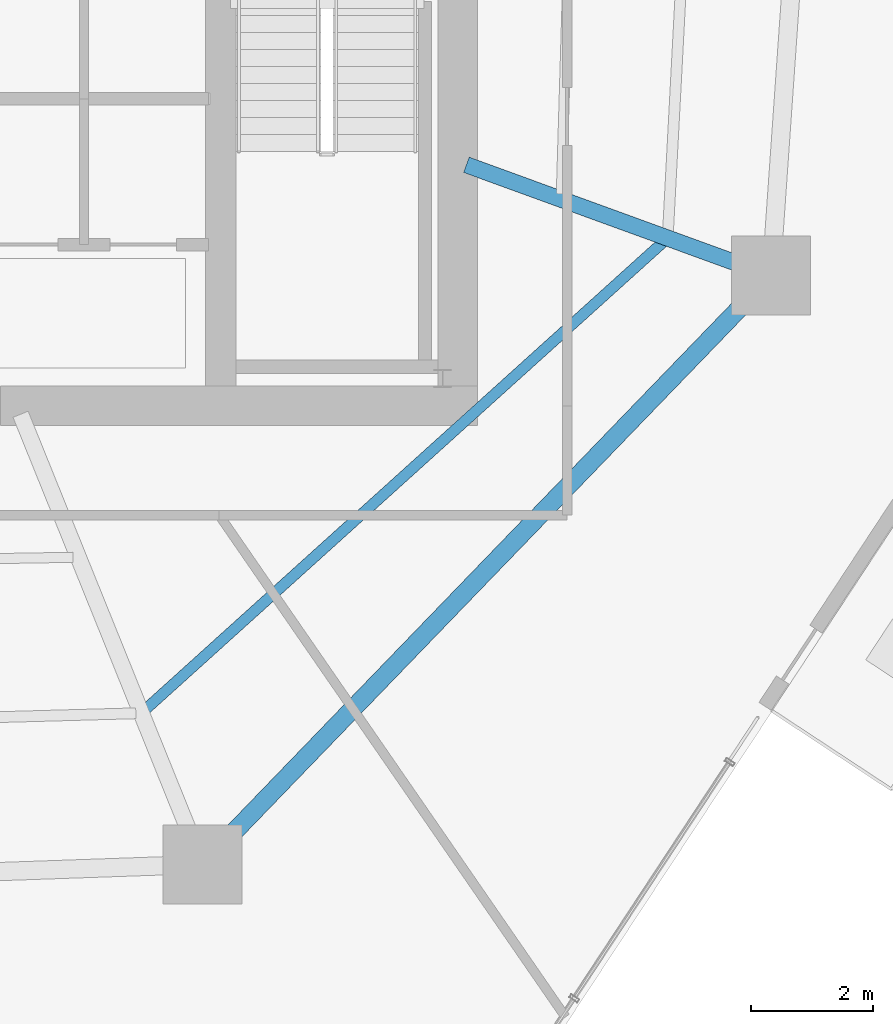
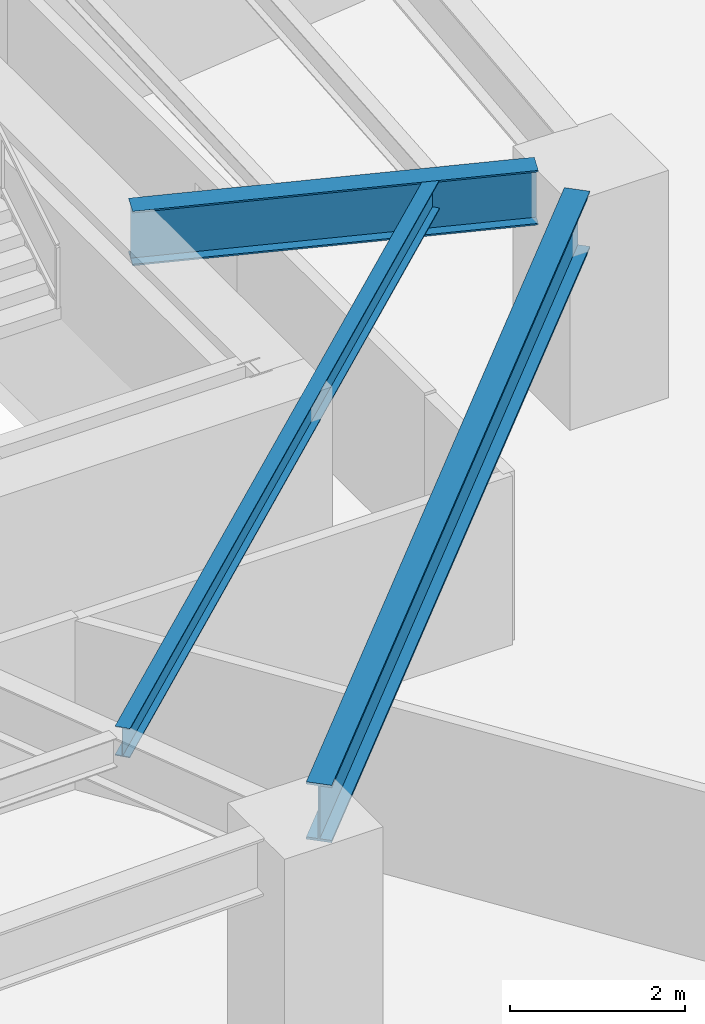
# One storey, part 10 of 28: 3 beams.
"""IFC4 building model written with IfcOpenShell, lengths in metres."""

from ifc_helpers import new_model, si_unit, direction, frame, origin, origin_2d, place, context, subcontext, project, spatial, i_section, extrude, material, material_profile, profile_set, type_object, element, save


model = new_model("IFC4")

# Units and contexts
model_context = context("Model", 3, precision=1e-05, world=origin(), true_north=direction((0.0, 1.0)))
body_context = subcontext(model_context, "Body", "Model", "MODEL_VIEW")
ifc_project = project(units=[si_unit("LENGTHUNIT", "METRE"), si_unit("AREAUNIT", "SQUARE_METRE"), si_unit("VOLUMEUNIT", "CUBIC_METRE"), si_unit("PLANEANGLEUNIT", "RADIAN"), si_unit("MASSUNIT", "GRAM", prefix="KILO")], contexts=[model_context])

# Site, building, storey
site_placement = place(None, origin())
site = spatial("IfcSite", under=ifc_project, at=site_placement, CompositionType="ELEMENT")
building_placement = place(site_placement, origin())
building = spatial("IfcBuilding", under=site, at=building_placement, Name="Qarnah Convention Tower", CompositionType="ELEMENT")
storey_placement = place(building_placement, frame((0.0, 0.0, 54.60009765625)))
storey = spatial("IfcBuildingStorey", under=building, at=storey_placement, Name="L13", CompositionType="ELEMENT", Elevation=54.60009765625)

# Beams
ifc_material = material(Name="Structural steel S355JR", Category="steel")
ifc_material_profile_1 = material_profile(ifc_material, i_section(OverallWidth=0.177978515625, OverallDepth=0.407958984375, WebThickness=0.008056640625, FlangeThickness=0.012939453125, at=origin_2d()), Name="W410X60")
ifc_profile_set_1 = profile_set([ifc_material_profile_1], Name="Structural steel S355JR")
beam_type_1 = type_object("IfcBeamType", Name="BM-JST-W410", PredefinedType="JOIST", material=ifc_profile_set_1)
beam_1_placement = place(storey_placement, frame((42.4609375, 13.60498046875, 2.9658203125), z_axis=(0.742326054704, 0.67003882612, 0.0), x_axis=(-0.67003882612, 0.742326054704, 0.0)))
element("IfcBeam", 1, at=beam_1_placement, inside=storey, type_object=beam_type_1, Name="L13 joist BM-L13-SJST-08", PredefinedType="JOIST", context=body_context, shape_type="SweptSolid", body=[
    extrude(i_section(OverallWidth=0.177978515625, OverallDepth=0.407958984375, WebThickness=0.008056640625, FlangeThickness=0.012939453125, at=origin_2d()), origin(), (0.0, 0.0, 1.0), 11.483154296875),
])
ifc_material_profile_2 = material_profile(ifc_material, i_section(OverallWidth=0.26806640625, OverallDepth=0.760009765625, WebThickness=0.014892578125, FlangeThickness=0.02197265625, at=origin_2d()), Name="W760X185")
ifc_profile_set_2 = profile_set([ifc_material_profile_2], Name="Structural steel S355JR")
beam_type_2 = type_object("IfcBeamType", Name="BM-RAD-W760", PredefinedType="BEAM", material=ifc_profile_set_2)
beam_2_placement = place(storey_placement, frame((47.740966796875, 22.56396484375, 2.789794921875), z_axis=(0.939656930297, -0.342118186224, 0.0), x_axis=(0.342118186224, 0.939656930297, 0.0)))
element("IfcBeam", 2, at=beam_2_placement, inside=storey, type_object=beam_type_2, Name="L13 beam BM-L13-RAD-09", PredefinedType="BEAM", context=body_context, shape_type="SweptSolid", body=[
    extrude(i_section(OverallWidth=0.26806640625, OverallDepth=0.760009765625, WebThickness=0.014892578125, FlangeThickness=0.02197265625, at=origin_2d()), origin(), (0.0, 0.0, 1.0), 4.70263671875),
])
ifc_material_profile_3 = material_profile(ifc_material, i_section(OverallWidth=0.300048828125, OverallDepth=0.800048828125, WebThickness=0.01806640625, FlangeThickness=0.032958984375, at=origin_2d()), Name="HEB800")
ifc_profile_set_3 = profile_set([ifc_material_profile_3], Name="Structural steel S355JR")
beam_type_3 = type_object("IfcBeamType", Name="BM-RING-HEB800", PredefinedType="BEAM", material=ifc_profile_set_3)
beam_3_placement = place(storey_placement, frame((43.844970703125, 11.514892578125, 2.77001953125), z_axis=(0.694553028655, 0.719441512832, 0.0), x_axis=(-0.719441512832, 0.694553028655, 0.0)))
element("IfcBeam", 3, at=beam_3_placement, inside=storey, type_object=beam_type_3, Name="L13 beam BM-L13-SPN-08", PredefinedType="BEAM", context=body_context, shape_type="SweptSolid", body=[
    extrude(i_section(OverallWidth=0.300048828125, OverallDepth=0.800048828125, WebThickness=0.01806640625, FlangeThickness=0.032958984375, at=origin_2d()), origin(), (0.0, 0.0, 1.0), 12.183349609375),
])

save(model, "model.ifc")
